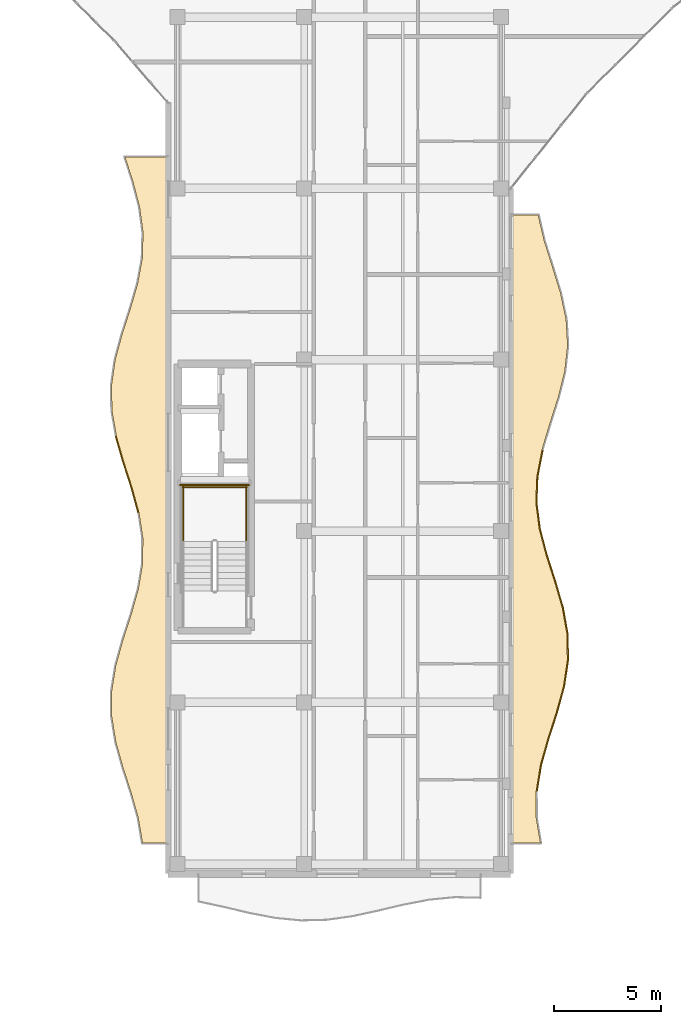
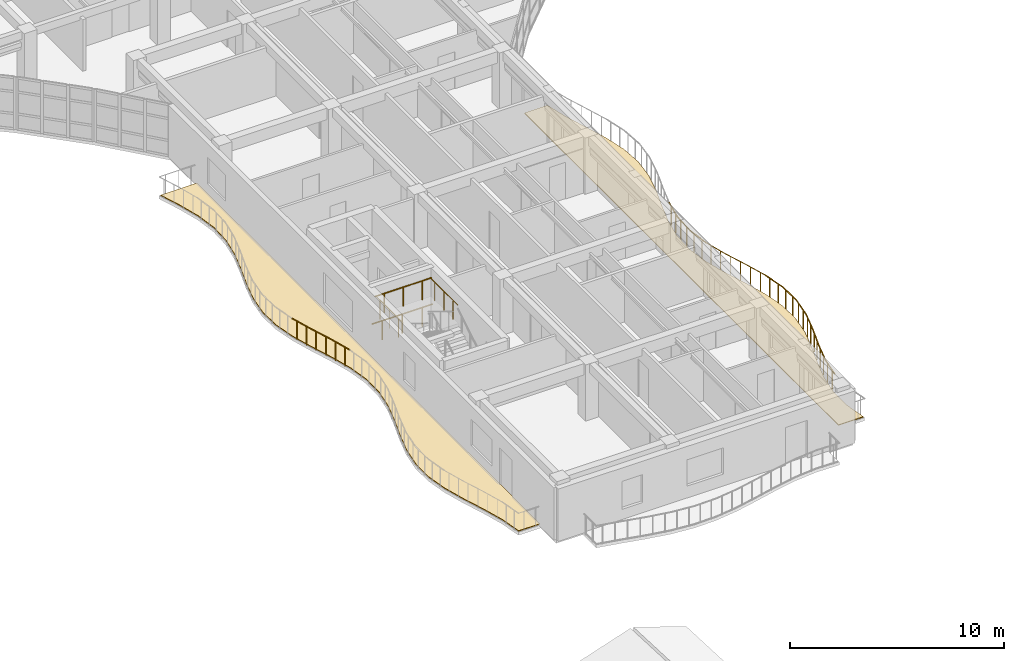
# One storey, part 71 of 89: 20 railings, 2 coverings.
"""IFC4 building model written with IfcOpenShell, lengths in metres."""

from ifc_helpers import new_model, si_unit, direction, frame, origin, origin_2d, place, context, subcontext, project, spatial, polyline, circle, outline, extrude, material, layer, layer_set, type_object, element, save


model = new_model("IFC4")

# Units and contexts
model_context = context("Model", 3, precision=1e-05, world=origin(), true_north=direction((0.0, 1.0)))
body_context = subcontext(model_context, "Body", "Model", "MODEL_VIEW")
ifc_project = project(units=[si_unit("LENGTHUNIT", "METRE"), si_unit("AREAUNIT", "SQUARE_METRE"), si_unit("VOLUMEUNIT", "CUBIC_METRE"), si_unit("PLANEANGLEUNIT", "RADIAN"), si_unit("MASSUNIT", "GRAM", prefix="KILO")], contexts=[model_context])

# Site, building, storey
site_placement = place(None, origin())
site = spatial("IfcSite", under=ifc_project, at=site_placement, CompositionType="ELEMENT")
building_placement = place(site_placement, origin())
building = spatial("IfcBuilding", under=site, at=building_placement, Name="Keldmere Railside Commons", CompositionType="ELEMENT")
storey_placement = place(building_placement, frame((0.0, 0.0, 7.360107421875)))
storey = spatial("IfcBuildingStorey", under=building, at=storey_placement, Name="L02", CompositionType="ELEMENT", Elevation=7.360107421875)

# Railings
ifc_material_1 = material(Name="Steel F-24 (S235)", Category="steel")
railing_type_1 = type_object("IfcRailingType", Name="Balcony & Terrace Steel Balustrade 1100", PredefinedType="BALUSTRADE", material=ifc_material_1)
railing_1_placement = place(storey_placement, frame((121.224609375, 59.85009765625, 0.0)))
element("IfcRailing", 1, at=railing_1_placement, inside=storey, type_object=railing_type_1, Name="GR-1 GRD-L02-2015", PredefinedType="BALUSTRADE", context=body_context, shape_type="SweptSolid", body=[
    extrude(circle(Radius=0.02392578125, at=origin_2d()), frame((0.0, 0.0, 1.076171875), z_axis=(0.159578868464, 0.987185182597, 0.0), x_axis=(-0.987185182597, 0.159578868464, 0.0)), (0.0, 0.0, 1.0), 1.24072265625),
    extrude(circle(Radius=0.02099609375, at=origin_2d()), frame((0.049560546875, 0.30615234375, 0.0)), (0.0, 0.0, 1.0), 1.048095703125),
    extrude(circle(Radius=0.02099609375, at=origin_2d()), frame((0.1484375, 0.918701171875, 0.0)), (0.0, 0.0, 1.0), 1.048095703125),
])
railing_2_placement = place(storey_placement, frame((121.422607421875, 61.074951171875, 0.0)))
element("IfcRailing", 2, at=railing_2_placement, inside=storey, type_object=railing_type_1, Name="GR-1 GRD-L02-2016", PredefinedType="BALUSTRADE", context=body_context, shape_type="SweptSolid", body=[
    extrude(circle(Radius=0.02392578125, at=origin_2d()), frame((0.0, 0.0, 1.076171875), z_axis=(0.271400941601, 0.962466378061, 0.0), x_axis=(-0.962466378061, 0.271400941601, 0.0)), (0.0, 0.0, 1.0), 1.27294921875),
    extrude(circle(Radius=0.02099609375, at=origin_2d()), frame((0.08642578125, 0.30615234375, 0.0)), (0.0, 0.0, 1.0), 1.048095703125),
    extrude(circle(Radius=0.02099609375, at=origin_2d()), frame((0.259033203125, 0.9189453125, 0.0)), (0.0, 0.0, 1.0), 1.048095703125),
])
railing_3_placement = place(storey_placement, frame((121.76806640625, 62.300048828125, 0.0)))
element("IfcRailing", 3, at=railing_3_placement, inside=storey, type_object=railing_type_1, Name="GR-1 GRD-L02-2017", PredefinedType="BALUSTRADE", context=body_context, shape_type="SweptSolid", body=[
    extrude(circle(Radius=0.02392578125, at=origin_2d()), frame((0.0, 0.0, 1.076171875), z_axis=(0.307623344655, 0.951508212168, 0.0), x_axis=(-0.951508212168, 0.307623344655, 0.0)), (0.0, 0.0, 1.0), 1.287353515625),
    extrude(circle(Radius=0.02099609375, at=origin_2d()), frame((0.09912109375, 0.30615234375, 0.0)), (0.0, 0.0, 1.0), 1.048095703125),
    extrude(circle(Radius=0.02099609375, at=origin_2d()), frame((0.296875, 0.918701171875, 0.0)), (0.0, 0.0, 1.0), 1.048095703125),
])
railing_4_placement = place(storey_placement, frame((122.1640625, 63.52490234375, 0.0)))
element("IfcRailing", 4, at=railing_4_placement, inside=storey, type_object=railing_type_1, Name="GR-1 GRD-L02-2018", PredefinedType="BALUSTRADE", context=body_context, shape_type="SweptSolid", body=[
    extrude(circle(Radius=0.02392578125, at=origin_2d()), frame((0.0, 0.0, 1.076171875), z_axis=(0.264629377113, 0.964350191978, 0.0), x_axis=(-0.964350191978, 0.264629377113, 0.0)), (0.0, 0.0, 1.0), 1.2705078125),
    extrude(circle(Radius=0.02099609375, at=origin_2d()), frame((0.083984375, 0.30615234375, 0.0)), (0.0, 0.0, 1.0), 1.048095703125),
    extrude(circle(Radius=0.02099609375, at=origin_2d()), frame((0.252197265625, 0.9189453125, 0.0)), (0.0, 0.0, 1.0), 1.048095703125),
])
railing_5_placement = place(storey_placement, frame((122.500244140625, 64.75, 0.0)))
element("IfcRailing", 5, at=railing_5_placement, inside=storey, type_object=railing_type_1, Name="GR-1 GRD-L02-2019", PredefinedType="BALUSTRADE", context=body_context, shape_type="SweptSolid", body=[
    extrude(circle(Radius=0.02392578125, at=origin_2d()), frame((0.0, 0.0, 1.076171875), z_axis=(0.147627195263, 0.989043078545, 0.0), x_axis=(-0.989043078545, 0.147627195263, 0.0)), (0.0, 0.0, 1.0), 1.23876953125),
    extrude(circle(Radius=0.02099609375, at=origin_2d()), frame((0.045654296875, 0.30615234375, 0.0)), (0.0, 0.0, 1.0), 1.048095703125),
    extrude(circle(Radius=0.02099609375, at=origin_2d()), frame((0.13720703125, 0.9189453125, 0.0)), (0.0, 0.0, 1.0), 1.048095703125),
])
railing_6_placement = place(storey_placement, frame((122.68310546875, 65.97509765625, 0.0)))
element("IfcRailing", 6, at=railing_6_placement, inside=storey, type_object=railing_type_1, Name="GR-1 GRD-L02-2020", PredefinedType="BALUSTRADE", context=body_context, shape_type="SweptSolid", body=[
    extrude(circle(Radius=0.02392578125, at=origin_2d()), frame((0.0, 0.0, 1.076171875), z_axis=(-0.017736894422, 0.999842688915, 0.0), x_axis=(-0.999842688915, -0.017736894422, 0.0)), (0.0, 0.0, 1.0), 1.22509765625),
    extrude(circle(Radius=0.02099609375, at=origin_2d()), frame((-0.00537109375, 0.30615234375, 0.0)), (0.0, 0.0, 1.0), 1.048095703125),
    extrude(circle(Radius=0.02099609375, at=origin_2d()), frame((-0.016357421875, 0.918701171875, 0.0)), (0.0, 0.0, 1.0), 1.048095703125),
])
railing_7_placement = place(storey_placement, frame((122.661376953125, 67.199951171875, 0.0)))
element("IfcRailing", 7, at=railing_7_placement, inside=storey, type_object=railing_type_1, Name="GR-1 GRD-L02-2021", PredefinedType="BALUSTRADE", context=body_context, shape_type="SweptSolid", body=[
    extrude(circle(Radius=0.02392578125, at=origin_2d()), frame((0.0, 0.0, 1.076171875), z_axis=(-0.176727403792, 0.984259835993, 0.0), x_axis=(-0.984259835993, -0.176727403792, 0.0)), (0.0, 0.0, 1.0), 1.24462890625),
    extrude(circle(Radius=0.02099609375, at=origin_2d()), frame((-0.054931640625, 0.30615234375, 0.0)), (0.0, 0.0, 1.0), 1.048095703125),
    extrude(circle(Radius=0.02099609375, at=origin_2d()), frame((-0.1650390625, 0.9189453125, 0.0)), (0.0, 0.0, 1.0), 1.048095703125),
])
railing_8_placement = place(storey_placement, frame((122.44140625, 68.425048828125, 0.0)))
element("IfcRailing", 8, at=railing_8_placement, inside=storey, type_object=railing_type_1, Name="GR-1 GRD-L02-2022", PredefinedType="BALUSTRADE", context=body_context, shape_type="SweptSolid", body=[
    extrude(circle(Radius=0.02392578125, at=origin_2d()), frame((0.0, 0.0, 1.076171875), z_axis=(-0.280124905785, 0.959963560329, 0.0), x_axis=(-0.959963560329, -0.280124905785, 0.0)), (0.0, 0.0, 1.0), 1.27587890625),
    extrude(circle(Radius=0.02099609375, at=origin_2d()), frame((-0.08935546875, 0.30615234375, 0.0)), (0.0, 0.0, 1.0), 1.048095703125),
    extrude(circle(Radius=0.02099609375, at=origin_2d()), frame((-0.26806640625, 0.918701171875, 0.0)), (0.0, 0.0, 1.0), 1.048095703125),
])
railing_9_placement = place(storey_placement, frame((122.083984375, 69.64990234375, 0.0)))
element("IfcRailing", 9, at=railing_9_placement, inside=storey, type_object=railing_type_1, Name="GR-1 GRD-L02-2023", PredefinedType="BALUSTRADE", context=body_context, shape_type="SweptSolid", body=[
    extrude(circle(Radius=0.02392578125, at=origin_2d()), frame((0.0, 0.0, 1.076171875), z_axis=(-0.30653719203, 0.951858681687, 0.0), x_axis=(-0.951858681687, -0.30653719203, 0.0)), (0.0, 0.0, 1.0), 1.287109375),
    extrude(circle(Radius=0.02099609375, at=origin_2d()), frame((-0.0986328125, 0.30615234375, 0.0)), (0.0, 0.0, 1.0), 1.048095703125),
    extrude(circle(Radius=0.02099609375, at=origin_2d()), frame((-0.2958984375, 0.9189453125, 0.0)), (0.0, 0.0, 1.0), 1.048095703125),
])
railing_10_placement = place(storey_placement, frame((121.689453125, 70.875, 0.0)))
element("IfcRailing", 10, at=railing_10_placement, inside=storey, type_object=railing_type_1, Name="GR-1 GRD-L02-2024", PredefinedType="BALUSTRADE", context=body_context, shape_type="SweptSolid", body=[
    extrude(circle(Radius=0.02392578125, at=origin_2d()), frame((0.0, 0.0, 1.076171875), z_axis=(-0.254218166499, 0.967146898781, 0.0), x_axis=(-0.967146898781, -0.254218166499, 0.0)), (0.0, 0.0, 1.0), 1.2666015625),
    extrude(circle(Radius=0.02099609375, at=origin_2d()), frame((-0.08056640625, 0.30615234375, 0.0)), (0.0, 0.0, 1.0), 1.048095703125),
    extrude(circle(Radius=0.02099609375, at=origin_2d()), frame((-0.241455078125, 0.9189453125, 0.0)), (0.0, 0.0, 1.0), 1.048095703125),
])
railing_11_placement = place(storey_placement, frame((121.367431640625, 72.10009765625, 0.0)))
element("IfcRailing", 11, at=railing_11_placement, inside=storey, type_object=railing_type_1, Name="GR-1 GRD-L02-2025", PredefinedType="BALUSTRADE", context=body_context, shape_type="SweptSolid", body=[
    extrude(circle(Radius=0.02392578125, at=origin_2d()), frame((0.0, 0.0, 1.076171875), z_axis=(-0.129068781202, 0.991635643631, 0.0), x_axis=(-0.991635643631, -0.129068781202, 0.0)), (0.0, 0.0, 1.0), 1.235107421875),
    extrude(circle(Radius=0.02099609375, at=origin_2d()), frame((-0.039794921875, 0.30615234375, 0.0)), (0.0, 0.0, 1.0), 1.048095703125),
    extrude(circle(Radius=0.02099609375, at=origin_2d()), frame((-0.11962890625, 0.918701171875, 0.0)), (0.0, 0.0, 1.0), 1.048095703125),
])
railing_12_placement = place(storey_placement, frame((121.2080078125, 73.324951171875, 0.0)))
element("IfcRailing", 12, at=railing_12_placement, inside=storey, type_object=railing_type_1, Name="GR-1 GRD-L02-2026", PredefinedType="BALUSTRADE", context=body_context, shape_type="SweptSolid", body=[
    extrude(circle(Radius=0.02392578125, at=origin_2d()), frame((0.0, 0.0, 1.076171875), z_axis=(0.038830795347, 0.999245800258, 0.0), x_axis=(-0.999245800258, 0.038830795347, 0.0)), (0.0, 0.0, 1.0), 1.22607421875),
    extrude(circle(Radius=0.02099609375, at=origin_2d()), frame((0.011962890625, 0.30615234375, 0.0)), (0.0, 0.0, 1.0), 1.048095703125),
    extrude(circle(Radius=0.02099609375, at=origin_2d()), frame((0.03564453125, 0.9189453125, 0.0)), (0.0, 0.0, 1.0), 1.048095703125),
])
railing_13_placement = place(storey_placement, frame((121.255615234375, 74.550048828125, 0.0)))
element("IfcRailing", 13, at=railing_13_placement, inside=storey, type_object=railing_type_1, Name="GR-1 GRD-L02-2027", PredefinedType="BALUSTRADE", context=body_context, shape_type="SweptSolid", body=[
    extrude(circle(Radius=0.02392578125, at=origin_2d()), frame((0.0, 0.0, 1.076171875), z_axis=(0.193219395943, 0.981155576365, 0.0), x_axis=(-0.981155576365, 0.193219395943, 0.0)), (0.0, 0.0, 1.0), 1.248291015625),
    extrude(circle(Radius=0.02099609375, at=origin_2d()), frame((0.060302734375, 0.30615234375, 0.0)), (0.0, 0.0, 1.0), 1.048095703125),
    extrude(circle(Radius=0.02099609375, at=origin_2d()), frame((0.180908203125, 0.918701171875, 0.0)), (0.0, 0.0, 1.0), 1.048095703125),
])
railing_14_placement = place(storey_placement, frame((102.599609375, 72.855712890625, 0.0)))
element("IfcRailing", 14, at=railing_14_placement, inside=storey, type_object=railing_type_1, Name="GR-1 GRD-L02-2052", PredefinedType="BALUSTRADE", context=body_context, shape_type="SweptSolid", body=[
    extrude(circle(Radius=0.02392578125, at=origin_2d()), frame((0.0, 0.0, 1.076171875), z_axis=(-0.26387163618, 0.964557805225, 0.0), x_axis=(-0.964557805225, -0.26387163618, 0.0)), (0.0, 0.0, 1.0), 1.232421875),
    extrude(circle(Radius=0.02099609375, at=origin_2d()), frame((-0.081298828125, 0.297119140625, 0.0)), (0.0, 0.0, 1.0), 1.048095703125),
    extrude(circle(Radius=0.02099609375, at=origin_2d()), frame((-0.243896484375, 0.8916015625, 0.0)), (0.0, 0.0, 1.0), 1.048095703125),
])
railing_15_placement = place(storey_placement, frame((102.2744140625, 74.04443359375, 0.0)))
element("IfcRailing", 15, at=railing_15_placement, inside=storey, type_object=railing_type_1, Name="GR-1 GRD-L02-2053", PredefinedType="BALUSTRADE", context=body_context, shape_type="SweptSolid", body=[
    extrude(circle(Radius=0.02392578125, at=origin_2d()), frame((0.0, 0.0, 1.076171875), z_axis=(-0.307539355173, 0.951535361939, 0.0), x_axis=(-0.951535361939, -0.307539355173, 0.0)), (0.0, 0.0, 1.0), 1.24951171875),
    extrude(circle(Radius=0.02099609375, at=origin_2d()), frame((-0.09619140625, 0.29736328125, 0.0)), (0.0, 0.0, 1.0), 1.048095703125),
    extrude(circle(Radius=0.02099609375, at=origin_2d()), frame((-0.2880859375, 0.8916015625, 0.0)), (0.0, 0.0, 1.0), 1.048095703125),
])
railing_16_placement = place(storey_placement, frame((101.89013671875, 75.2333984375, 0.0)))
element("IfcRailing", 16, at=railing_16_placement, inside=storey, type_object=railing_type_1, Name="GR-1 GRD-L02-2054", PredefinedType="BALUSTRADE", context=body_context, shape_type="SweptSolid", body=[
    extrude(circle(Radius=0.02392578125, at=origin_2d()), frame((0.0, 0.0, 1.076171875), z_axis=(-0.27670161306, 0.960955887297, 0.0), x_axis=(-0.960955887297, -0.27670161306, 0.0)), (0.0, 0.0, 1.0), 1.237060546875),
    extrude(circle(Radius=0.02099609375, at=origin_2d()), frame((-0.08544921875, 0.297119140625, 0.0)), (0.0, 0.0, 1.0), 1.048095703125),
    extrude(circle(Radius=0.02099609375, at=origin_2d()), frame((-0.2568359375, 0.8916015625, 0.0)), (0.0, 0.0, 1.0), 1.048095703125),
])
railing_type_2 = type_object("IfcRailingType", Name="Stair Well Steel Guardrail 1100", PredefinedType="BALUSTRADE", material=ifc_material_1)
for number, where, name in (
    (17, (107.64990234375, 71.52001953125, 1.599853515625), "L02 ST-B1 stair guard 3"),
    (18, (104.699951171875, 71.52001953125, 1.599853515625), "L02 ST-B1 stair guard 4"),
):
    element("IfcRailing", number, at=place(storey_placement, frame(where)), inside=storey, type_object=railing_type_2, Name=name, PredefinedType="BALUSTRADE", context=body_context, shape_type="SweptSolid", body=[
        extrude(circle(Radius=0.02392578125, at=origin_2d()), frame((0.0, 0.0, 1.076171875), z_axis=(0.0, 1.0, 0.0), x_axis=(-1.0, 0.0, 0.0)), (0.0, 0.0, 1.0), 2.580078125),
        extrude(circle(Radius=0.02099609375, at=origin_2d()), frame((0.0, 0.429931640625, 0.0)), (0.0, 0.0, 1.0), 1.048095703125),
        extrude(circle(Radius=0.02099609375, at=origin_2d()), frame((0.0, 1.2900390625, 0.0)), (0.0, 0.0, 1.0), 1.048095703125),
        extrude(circle(Radius=0.02099609375, at=origin_2d()), frame((0.0, 2.150146484375, 0.0)), (0.0, 0.0, 1.0), 1.048095703125),
    ])
railing_17_placement = place(storey_placement, frame((107.699951171875, 74.050048828125, 1.599853515625)))
element("IfcRailing", 19, at=railing_17_placement, inside=storey, type_object=railing_type_2, Name="L02 ST-B1 stair guard 5", PredefinedType="BALUSTRADE", context=body_context, shape_type="SweptSolid", body=[
    extrude(circle(Radius=0.02392578125, at=origin_2d()), frame((0.0, 0.0, 1.076171875), z_axis=(-1.0, 0.0, 0.0), x_axis=(0.0, -1.0, 0.0)), (0.0, 0.0, 1.0), 3.050048828125),
    extrude(circle(Radius=0.02099609375, at=origin_2d()), frame((-0.50830078125, 0.0, 0.0)), (0.0, 0.0, 1.0), 1.048095703125),
    extrude(circle(Radius=0.02099609375, at=origin_2d()), frame((-1.52490234375, 0.0, 0.0)), (0.0, 0.0, 1.0), 1.048095703125),
    extrude(circle(Radius=0.02099609375, at=origin_2d()), frame((-2.541748046875, 0.0, 0.0)), (0.0, 0.0, 1.0), 1.048095703125),
])
railing_18_placement = place(storey_placement, frame((107.800048828125, 74.14990234375, 0.0)))
element("IfcRailing", 20, at=railing_18_placement, inside=storey, type_object=railing_type_2, Name="L02 ST-B1 stair guard 12", PredefinedType="BALUSTRADE", context=body_context, shape_type="SweptSolid", body=[
    extrude(circle(Radius=0.02392578125, at=origin_2d()), frame((0.0, 0.0, 1.076171875), z_axis=(-1.0, 0.0, 0.0), x_axis=(0.0, -1.0, 0.0)), (0.0, 0.0, 1.0), 3.25),
    extrude(circle(Radius=0.02099609375, at=origin_2d()), frame((-0.541748046875, 0.0, 0.0)), (0.0, 0.0, 1.0), 1.048095703125),
    extrude(circle(Radius=0.02099609375, at=origin_2d()), frame((-1.625, 0.0, 0.0)), (0.0, 0.0, 1.0), 1.048095703125),
    extrude(circle(Radius=0.02099609375, at=origin_2d()), frame((-2.708251953125, 0.0, 0.0)), (0.0, 0.0, 1.0), 1.048095703125),
])

# Coverings
ifc_material_2 = material(Name="White Precast Concrete C35/45", Category="concrete")
ifc_layer = layer(ifc_material_2, 0.044921875, Name="White Architectural Balcony Ribbon Cladding 45")
ifc_layer_set = layer_set([ifc_layer], Name="White Precast Concrete C35/45")
covering_type = type_object("IfcCoveringType", Name="White Architectural Balcony Ribbon Cladding 45", PredefinedType="FLOORING", material=ifc_layer_set)
covering_1_placement = place(storey_placement, origin())
element("IfcCovering", 21, at=covering_1_placement, inside=storey, type_object=covering_type, Name="CLG-WB B L02 CE White Balcony Ribbon", PredefinedType="FLOORING", context=body_context, shape_type="SweptSolid", body=[
    extrude(outline(polyline([(121.189453125, 58.618408203125), (121.18896484375, 58.62158203125), (121.188720703125, 58.625), (121.1845703125, 59.849853515625), (121.184814453125, 59.85302734375), (121.18505859375, 59.8564453125), (121.38330078125, 61.081298828125), (121.38427734375, 61.0859375), (121.7294921875, 62.310791015625), (121.72998046875, 62.312255859375), (122.125732421875, 63.53662109375), (122.461181640625, 64.75830078125), (122.64306640625, 65.9775390625), (122.62158203125, 67.196044921875), (122.40234375, 68.415771484375), (122.0458984375, 69.63818359375), (121.6513671875, 70.86279296875), (121.650634765625, 70.86474609375), (121.328857421875, 72.08984375), (121.327880859375, 72.0947265625), (121.16845703125, 73.31982421875), (121.168212890625, 73.3232421875), (121.168212890625, 73.326416015625), (121.215576171875, 74.551513671875), (121.2158203125, 74.5546875), (121.21630859375, 74.5576171875), (121.45751953125, 75.78271484375), (121.45849609375, 75.78662109375), (121.826171875, 77.011474609375), (121.826416015625, 77.01220703125), (122.217529296875, 78.23583984375), (122.522705078125, 79.45703125), (122.657470703125, 80.676025390625), (122.584716796875, 81.89453125), (122.32421875, 83.114990234375), (121.948486328125, 84.338134765625), (121.561767578125, 85.56298828125), (121.56103515625, 85.56591796875), (121.279052734375, 86.760009765625), (120.0400390625, 86.760009765625), (120.0400390625, 57.43994140625), (121.386962890625, 57.43994140625), (121.189453125, 58.618408203125)])), origin(), (0.0, 0.0, 1.0), 0.044921875),
])
covering_2_placement = place(storey_placement, origin())
element("IfcCovering", 22, at=covering_2_placement, inside=storey, type_object=covering_type, Name="CLG-WB B L02 CW White Balcony Ribbon", PredefinedType="FLOORING", context=body_context, shape_type="SweptSolid", body=[
    extrude(outline(polyline([(103.9599609375, 89.4599609375), (101.98779296875, 89.4599609375), (102.353759765625, 88.323486328125), (102.354248046875, 88.3212890625), (102.6669921875, 87.13232421875), (102.66796875, 87.127685546875), (102.82861328125, 85.938720703125), (102.828857421875, 85.935302734375), (102.8291015625, 85.93212890625), (102.795166015625, 84.743408203125), (102.794921875, 84.740234375), (102.79443359375, 84.737060546875), (102.5751953125, 83.54833984375), (102.57421875, 83.54443359375), (102.22705078125, 82.35546875), (102.226806640625, 82.3544921875), (101.84326171875, 81.16650390625), (101.52490234375, 79.980712890625), (101.35498046875, 78.797607421875), (101.377685546875, 77.614990234375), (101.5869140625, 76.43115234375), (101.928466796875, 75.2451171875), (102.3125, 74.056640625), (102.31298828125, 74.054931640625), (102.63818359375, 72.8662109375), (102.63916015625, 72.861572265625), (102.81982421875, 71.672607421875), (102.8203125, 71.66943359375), (102.8203125, 71.666259765625), (102.808837890625, 70.477294921875), (102.80859375, 70.474365234375), (102.80810546875, 70.47119140625), (102.607666015625, 69.2822265625), (102.606689453125, 69.278076171875), (102.269775390625, 68.089111328125), (102.269287109375, 68.087646484375), (101.884765625, 66.899658203125), (101.554443359375, 65.713623046875), (101.364990234375, 64.530029296875), (101.365234375, 63.34765625), (101.555419921875, 62.164306640625), (101.885986328125, 60.978271484375), (102.2705078125, 59.7900390625), (102.27099609375, 59.788818359375), (102.607666015625, 58.599853515625), (102.6083984375, 58.595458984375), (102.802978515625, 57.43994140625), (103.9599609375, 57.43994140625), (103.9599609375, 89.4599609375)])), origin(), (0.0, 0.0, 1.0), 0.044921875),
])

save(model, "model.ifc")
